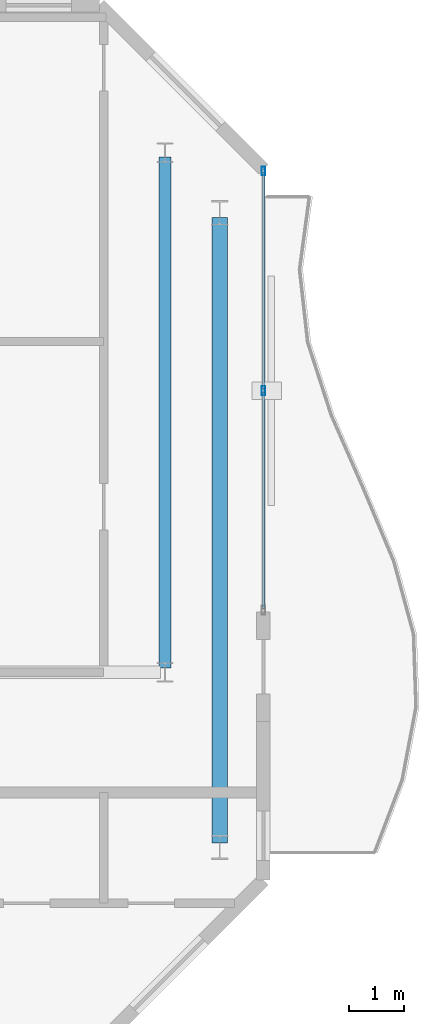
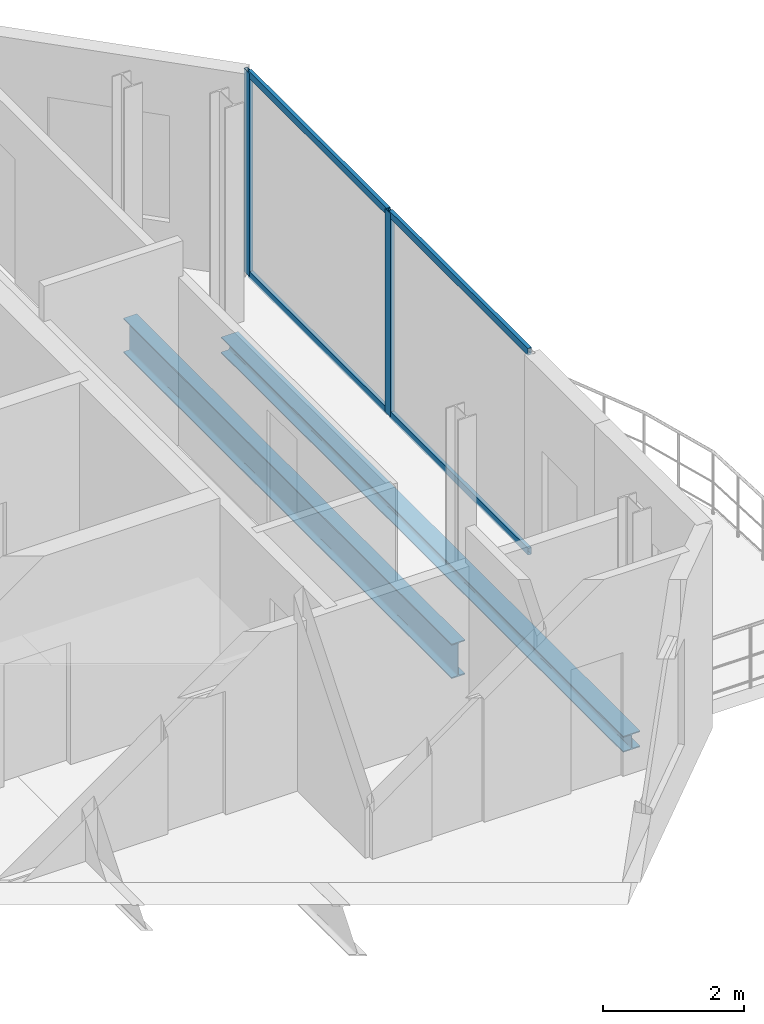
# One storey, part 15 of 22: 6 members, 2 beams, 1 element without a shape of its own.
"""IFC4 building model written with IfcOpenShell, lengths in metres."""

from ifc_helpers import new_model, si_unit, direction, frame, origin, origin_2d, place, context, subcontext, project, spatial, hollow_rectangle, i_section, extrude, material, layer, layer_set, material_profile, profile_set, type_object, element, aggregate, save


model = new_model("IFC4")

# Units and contexts
model_context = context("Model", 3, precision=1e-05, world=origin(), true_north=direction((0.0, 1.0)))
body_context = subcontext(model_context, "Body", "Model", "MODEL_VIEW")
ifc_project = project(units=[si_unit("LENGTHUNIT", "METRE"), si_unit("AREAUNIT", "SQUARE_METRE"), si_unit("VOLUMEUNIT", "CUBIC_METRE"), si_unit("PLANEANGLEUNIT", "RADIAN"), si_unit("MASSUNIT", "GRAM", prefix="KILO")], contexts=[model_context])

# Site, building, storey
site_placement = place(None, origin())
site = spatial("IfcSite", under=ifc_project, at=site_placement, CompositionType="ELEMENT")
building_placement = place(site_placement, origin())
building = spatial("IfcBuilding", under=site, at=building_placement, Name="Catumbela Crestline Tower", CompositionType="ELEMENT")
storey_placement = place(building_placement, frame((0.0, 0.0, 233.6)))
storey = spatial("IfcBuildingStorey", under=building, at=storey_placement, Name="L60", CompositionType="ELEMENT", Elevation=233.6)

# Beam
ifc_material_1 = material(Name="Structural steel S355J2", Category="steel")
ifc_material_profile_1 = material_profile(ifc_material_1, i_section(OverallWidth=0.22, OverallDepth=0.6, WebThickness=0.012, FlangeThickness=0.019, FilletRadius=0.024, at=origin_2d()), Name="IPE 600")
ifc_profile_set_1 = profile_set([ifc_material_profile_1], Name="Structural steel S355J2")
beam_type_1 = type_object("IfcBeamType", Name="BG-IPE600", PredefinedType="BEAM", material=ifc_profile_set_1)
beam_1_placement = place(storey_placement, frame((44.2, 30.88, -0.56), z_axis=(0.0, 1.0, 0.0), x_axis=(-1.0, 0.0, 0.0)))
element("IfcBeam", 1, at=beam_1_placement, inside=storey, type_object=beam_type_1, Name="L60 Beam BM-L60-SN19", PredefinedType="BEAM", context=body_context, shape_type="SweptSolid", body=[
    extrude(i_section(OverallWidth=0.22, OverallDepth=0.6, WebThickness=0.012, FlangeThickness=0.019, FilletRadius=0.024, at=origin_2d()), origin(), (0.0, 0.0, 1.0), 9.34),
])

# Curtain wall, members
ifc_material_2 = material(Name="Aluminium alloy AW-6060-T66", Category="aluminium")
ifc_layer = layer(ifc_material_2, 0.18, Name="Aluminium alloy AW-6060-T66")
ifc_layer_set = layer_set([ifc_layer], Name="Aluminium alloy AW-6060-T66")
curtain_wall_type = type_object("IfcCurtainWallType", Name="CWU-Z4", PredefinedType="USERDEFINED", material=ifc_layer_set)
curtain_wall_placement = place(storey_placement, origin())
curtain_wall = element("IfcCurtainWall", 2, at=curtain_wall_placement, inside=storey, type_object=curtain_wall_type, Name="L60 Unitised Curtain Wall CW-L60-E5S2", ObjectType="UNITISED", PredefinedType="USERDEFINED")
ifc_material_profile_2 = material_profile(ifc_material_2, hollow_rectangle(XDim=0.06, YDim=0.16, WallThickness=0.004, at=origin_2d()), Name="ALU 160x60x4")
ifc_profile_set_2 = profile_set([ifc_material_profile_2], Name="Aluminium alloy AW-6060-T66")
member_type_1 = type_object("IfcMemberType", Name="MUL-160X60", PredefinedType="MULLION", material=ifc_profile_set_2)
member_1_placement = place(storey_placement, frame((46.0, 35.95, 0.0), z_axis=(0.0, 0.0, 1.0), x_axis=(-1.0, 0.0, 0.0)))
member_1 = element("IfcMember", 3, at=member_1_placement, type_object=member_type_1, Name="CWU-Z4 mullion 2", PredefinedType="MULLION", context=body_context, shape_type="SweptSolid", body=[
    extrude(hollow_rectangle(XDim=0.06, YDim=0.16, WallThickness=0.004, at=origin_2d()), origin(), (0.0, 0.0, 1.0), 3.53),
])
member_2_placement = place(storey_placement, frame((46.0, 39.9675, 0.0), z_axis=(0.0, 0.0, 1.0), x_axis=(-1.0, 0.0, 0.0)))
member_2 = element("IfcMember", 4, at=member_2_placement, type_object=member_type_1, Name="CWU-Z4 mullion 3", PredefinedType="MULLION", context=body_context, shape_type="SweptSolid", body=[
    extrude(hollow_rectangle(XDim=0.06, YDim=0.16, WallThickness=0.004, at=origin_2d()), origin(), (0.0, 0.0, 1.0), 3.53),
])

# Beam
ifc_material_profile_3 = material_profile(ifc_material_1, i_section(OverallWidth=0.28, OverallDepth=0.28, WebThickness=0.0105, FlangeThickness=0.018, FilletRadius=0.024, at=origin_2d()), Name="HEB 280")
ifc_profile_set_3 = profile_set([ifc_material_profile_3], Name="Structural steel S355J2")
beam_type_2 = type_object("IfcBeamType", Name="BS-HEB280", PredefinedType="SPANDREL", material=ifc_profile_set_3)
beam_2_placement = place(storey_placement, frame((45.2, 27.68, -0.4), z_axis=(0.0, 1.0, 0.0), x_axis=(-1.0, 0.0, 0.0)))
element("IfcBeam", 5, at=beam_2_placement, inside=storey, type_object=beam_type_2, Name="L60 Spandrel SP-L60-SN20", PredefinedType="SPANDREL", context=body_context, shape_type="SweptSolid", body=[
    extrude(i_section(OverallWidth=0.28, OverallDepth=0.28, WebThickness=0.0105, FlangeThickness=0.018, FilletRadius=0.024, at=origin_2d()), origin(), (0.0, 0.0, 1.0), 11.44),
])

# Member
ifc_material_profile_4 = material_profile(ifc_material_2, hollow_rectangle(XDim=0.06, YDim=0.12, WallThickness=0.0035, at=origin_2d()), Name="ALU 120x60x3.5")
ifc_profile_set_4 = profile_set([ifc_material_profile_4], Name="Aluminium alloy AW-6060-T66")
member_type_2 = type_object("IfcMemberType", Name="TRN-120X60", PredefinedType="USERDEFINED", material=ifc_profile_set_4)
member_3_placement = place(storey_placement, frame((46.0, 31.965, 0.03), z_axis=(0.0, 1.0, 0.0), x_axis=(-1.0, 0.0, 0.0)))
member_3 = element("IfcMember", 6, at=member_3_placement, type_object=member_type_2, Name="CWU-Z4 transom 1.1", ObjectType="TRANSOM", PredefinedType="USERDEFINED", context=body_context, shape_type="SweptSolid", body=[
    extrude(hollow_rectangle(XDim=0.06, YDim=0.12, WallThickness=0.0035, at=origin_2d()), origin(), (0.0, 0.0, 1.0), 3.9525),
])

member_4_placement = place(storey_placement, frame((46.0, 31.965, 3.5), z_axis=(0.0, 1.0, 0.0), x_axis=(-1.0, 0.0, 0.0)))
member_4 = element("IfcMember", 7, at=member_4_placement, type_object=member_type_2, Name="CWU-Z4 transom 1.2", ObjectType="TRANSOM", PredefinedType="USERDEFINED", context=body_context, shape_type="SweptSolid", body=[
    extrude(hollow_rectangle(XDim=0.06, YDim=0.12, WallThickness=0.0035, at=origin_2d()), origin(), (0.0, 0.0, 1.0), 3.9525),
])

member_5_placement = place(storey_placement, frame((46.0, 35.9825, 0.03), z_axis=(0.0, 1.0, 0.0), x_axis=(-1.0, 0.0, 0.0)))
member_5 = element("IfcMember", 8, at=member_5_placement, type_object=member_type_2, Name="CWU-Z4 transom 2.1", ObjectType="TRANSOM", PredefinedType="USERDEFINED", context=body_context, shape_type="SweptSolid", body=[
    extrude(hollow_rectangle(XDim=0.06, YDim=0.12, WallThickness=0.0035, at=origin_2d()), origin(), (0.0, 0.0, 1.0), 3.9525),
])

member_6_placement = place(storey_placement, frame((46.0, 35.9825, 3.5), z_axis=(0.0, 1.0, 0.0), x_axis=(-1.0, 0.0, 0.0)))
member_6 = element("IfcMember", 9, at=member_6_placement, type_object=member_type_2, Name="CWU-Z4 transom 2.2", ObjectType="TRANSOM", PredefinedType="USERDEFINED", context=body_context, shape_type="SweptSolid", body=[
    extrude(hollow_rectangle(XDim=0.06, YDim=0.12, WallThickness=0.0035, at=origin_2d()), origin(), (0.0, 0.0, 1.0), 3.9525),
])

aggregate(curtain_wall, [member_1, member_2, member_3, member_4, member_5, member_6])

save(model, "model.ifc")
